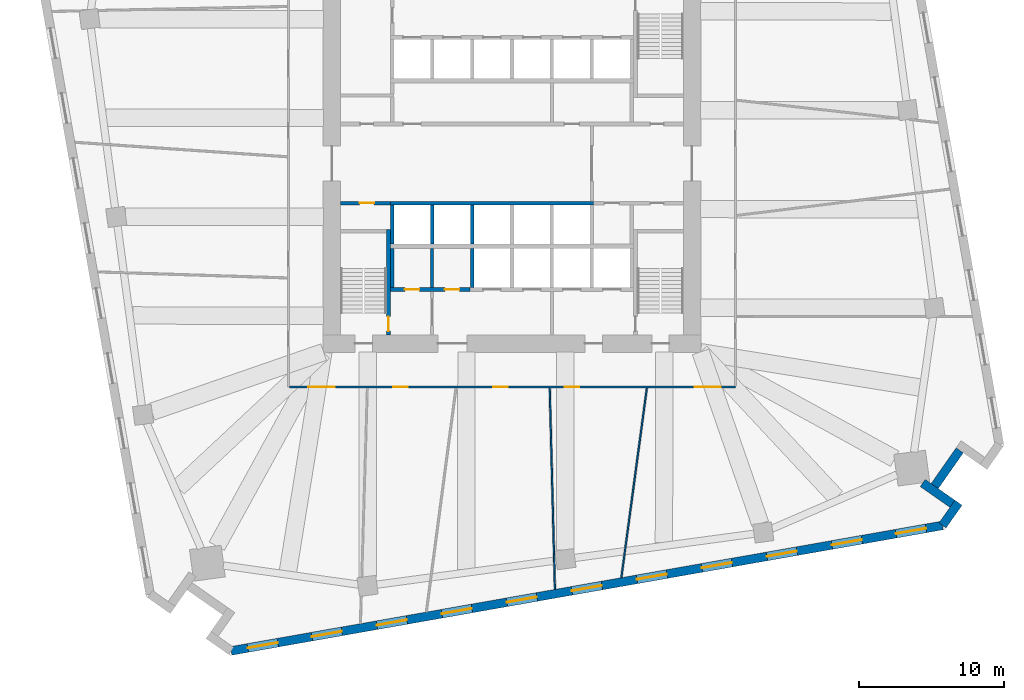
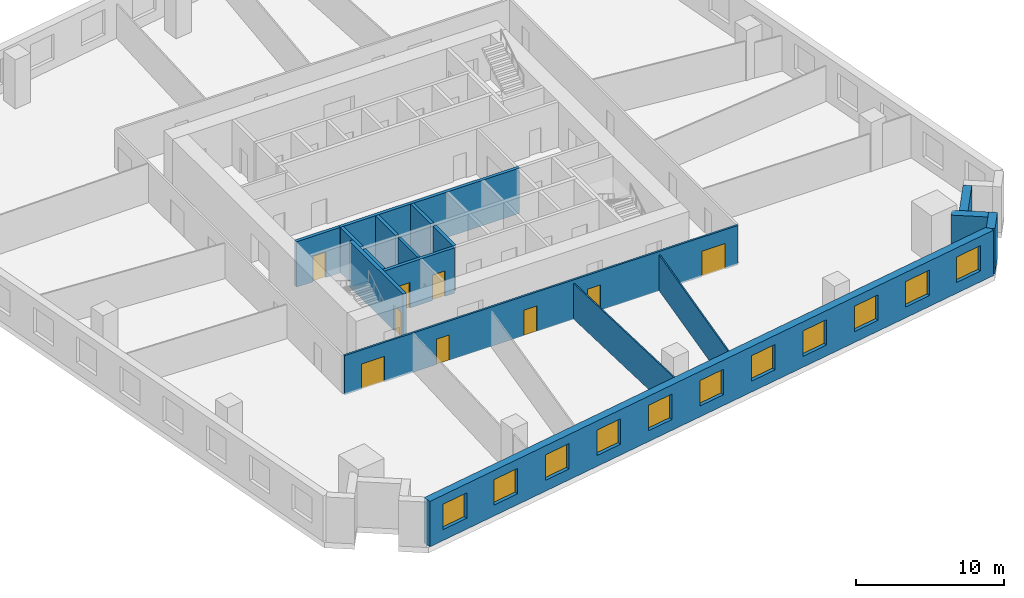
# One storey, part 4 of 10: 17 walls, 11 windows, 9 doors, 20 openings.
"""IFC4 building model written with IfcOpenShell, lengths in metres."""

import ifcopenshell
import ifcopenshell.guid

model = None  # the IFC model being written
_history = None  # IfcOwnerHistory: only IFC2X3 demands one
_inside = {}  # id of a spatial element -> (the spatial element, [elements in it])
_under = {}  # id of a project, library or spatial element -> (it, [spatial elements below it])
_declared = {}  # id of a project -> (the project, [libraries it declares])
_typed = {}  # id of a type object -> (the type object, [elements of that type])
_made_of = {}  # id of a material, layer set ... -> (it, [elements and type objects made of it])


def new_model(schema):
    """Start an empty IFC model of exactly this schema.

    Asked for "IFC4X3", IfcOpenShell would pick the latest addendum, in which some entities
    have other attributes; the version numbers below select the first issue.
    IFC2X3 requires an IfcOwnerHistory on every rooted entity: one is made here for all.
    """
    global model, _history
    if schema == "IFC4X3":
        model = ifcopenshell.file(schema_version=(4, 3, 0, 0))
    else:
        model = ifcopenshell.file(schema=schema)
    _inside.clear()
    _under.clear()
    _declared.clear()
    _typed.clear()
    _made_of.clear()
    _history = None
    if model.schema == "IFC2X3":
        org = make("IfcOrganization", Name="unknown")
        user = make(
            "IfcPersonAndOrganization",
            ThePerson=make("IfcPerson", FamilyName="unknown"),
            TheOrganization=org,
        )
        app = make(
            "IfcApplication",
            ApplicationDeveloper=org,
            Version="unknown",
            ApplicationFullName="unknown",
            ApplicationIdentifier="unknown",
        )
        _history = make(
            "IfcOwnerHistory",
            OwningUser=user,
            OwningApplication=app,
            ChangeAction="ADDED",
            CreationDate=0,
        )
    return model


def make(cls, **values):
    """One entity of the class cls with the attributes given. An attribute that is None is left unset."""
    return model.create_entity(
        cls, **{name: value for name, value in values.items() if value is not None}
    )


def rooted(cls, **values):
    """An entity with a GlobalId (a new one), such as an element, a storey or a relation."""
    return make(cls, GlobalId=ifcopenshell.guid.new(), OwnerHistory=_history, **values)


def si_unit(unit_type, name, prefix=None):
    """IfcSIUnit, for example si_unit("LENGTHUNIT", "METRE", prefix="MILLI")."""
    return make("IfcSIUnit", UnitType=unit_type, Prefix=prefix, Name=name)


def assignment(units):
    """IfcUnitAssignment: the units of a project."""
    return None if units is None else make("IfcUnitAssignment", Units=units)


def point(xyz):
    """IfcCartesianPoint."""
    return None if xyz is None else make("IfcCartesianPoint", Coordinates=xyz)


def direction(xyz):
    """IfcDirection."""
    return None if xyz is None else make("IfcDirection", DirectionRatios=xyz)


def frame(location, z_axis=None, x_axis=None):
    """IfcAxis2Placement3D, a coordinate frame: its origin and axes. An axis left out is left unset."""
    return make(
        "IfcAxis2Placement3D",
        Location=point(location),
        Axis=direction(z_axis),
        RefDirection=direction(x_axis),
    )


def frame_2d(location, x_axis=None):
    """IfcAxis2Placement2D, a coordinate frame in the plane: its origin and x axis."""
    return make(
        "IfcAxis2Placement2D", Location=point(location), RefDirection=direction(x_axis)
    )


def origin():
    """The frame at (0, 0, 0) with its axes left unset."""
    return frame((0.0, 0.0, 0.0))


def place(relative_to, where):
    """IfcLocalPlacement: puts the frame where relative to a parent placement (None: the world)."""
    return make(
        "IfcLocalPlacement", PlacementRelTo=relative_to, RelativePlacement=where
    )


def context(
    kind, dimensions, precision=None, world=None, true_north=None, identifier=None
):
    """IfcGeometricRepresentationContext, for example the 3D "Model" context."""
    return make(
        "IfcGeometricRepresentationContext",
        ContextIdentifier=identifier,
        ContextType=kind,
        CoordinateSpaceDimension=dimensions,
        Precision=precision,
        WorldCoordinateSystem=world,
        TrueNorth=true_north,
    )


def subcontext(parent, identifier, kind, view, scale=None):
    """IfcGeometricRepresentationSubContext, for example "Body" below "Model"."""
    return make(
        "IfcGeometricRepresentationSubContext",
        ContextIdentifier=identifier,
        ContextType=kind,
        ParentContext=parent,
        TargetScale=scale,
        TargetView=view,
    )


def project(units=None, contexts=None):
    """IfcProject with its units and contexts."""
    return rooted(
        "IfcProject",
        Name="project",
        RepresentationContexts=contexts,
        UnitsInContext=assignment(units),
    )


def spatial(cls, under=None, at=None, **own):
    """A site, building, storey or space (cls), placed at a placement, below another one or the project."""
    s = rooted(cls, ObjectPlacement=at, **own)
    if under is not None:
        _under.setdefault(under.id(), (under, []))[1].append(s)
    return s


def profile(cls, at=None, kind="AREA", **sizes):
    """A parametric profile (cls). Its sizes go by their IFC names, for example OverallWidth=200.0."""
    return make(cls, ProfileType=kind, Position=at, **sizes)


def rectangle(**sizes):
    """IfcRectangleProfileDef."""
    return profile("IfcRectangleProfileDef", **sizes)


def extrude(swept, where, along, depth):
    """IfcExtrudedAreaSolid: the profile swept, set in the frame where, extruded along a direction by depth."""
    return make(
        "IfcExtrudedAreaSolid",
        SweptArea=swept,
        Position=where,
        ExtrudedDirection=direction(along),
        Depth=depth,
    )


def shape(context_of_items, identifier, shape_type, items):
    """IfcShapeRepresentation: the items that make up one representation, for example the "Body"."""
    return make(
        "IfcShapeRepresentation",
        ContextOfItems=context_of_items,
        RepresentationIdentifier=identifier,
        RepresentationType=shape_type,
        Items=items,
    )


def material(Name=None, Category=None):
    """IfcMaterial."""
    return make("IfcMaterial", Name=Name, Category=Category)


def layer(
    of_material, thickness, ventilated=None, Name=None, Category=None, Priority=None
):
    """IfcMaterialLayer: one layer of a wall or slab, of a material (None: an air gap)."""
    return make(
        "IfcMaterialLayer",
        Material=of_material,
        LayerThickness=thickness,
        IsVentilated=ventilated,
        Name=Name,
        Category=Category,
        Priority=Priority,
    )


def layer_set(layers, Name=None):
    """IfcMaterialLayerSet."""
    return make("IfcMaterialLayerSet", MaterialLayers=layers, LayerSetName=Name)


def made_of(thing, what):
    """Note that an element or type object is made of a material, layer set ...; save() writes the relation."""
    if what is not None:
        _made_of.setdefault(what.id(), (what, []))[1].append(thing)
    return thing


def type_object(cls, material=None, **own):
    """A type object (cls), such as IfcWallType, which elements share."""
    return made_of(rooted(cls, **own), material)


def element(
    cls,
    number,
    at=None,
    inside=None,
    cuts=None,
    type_object=None,
    material=None,
    context=None,
    identifier="Body",
    shape_type=None,
    held_by="IfcProductDefinitionShape",
    body=None,
    shapes=None,
    **own,
):
    """One element of the class cls, such as IfcWall. Its Tag is "e" and its number.

    at: its placement. inside: the storey or other place that contains it. cuts: it is an
    opening in that element (IfcRelVoidsElement). A single representation is given by context,
    identifier, shape_type and body (its items); several are given by shapes. held_by: the class
    of the entity that holds the representations. save() writes the other relations.
    """
    e = rooted(cls, Tag="e%d" % number, ObjectPlacement=at, **own)
    if body is not None:
        shapes = [shape(context, identifier, shape_type, body)]
    if shapes is not None:
        e.Representation = make(held_by, Representations=shapes)
    if inside is not None:
        _inside.setdefault(inside.id(), (inside, []))[1].append(e)
    if cuts is not None:
        rooted(
            "IfcRelVoidsElement", RelatingBuildingElement=cuts, RelatedOpeningElement=e
        )
    if type_object is not None:
        _typed.setdefault(type_object.id(), (type_object, []))[1].append(e)
    return made_of(e, material)


def fill(opening, filler):
    """IfcRelFillsElement: the door or window that sits in an opening."""
    return rooted(
        "IfcRelFillsElement",
        RelatingOpeningElement=opening,
        RelatedBuildingElement=filler,
    )


def aggregate(whole, parts):
    """IfcRelAggregates: a whole, such as a stair, and the parts it consists of."""
    return rooted("IfcRelAggregates", RelatingObject=whole, RelatedObjects=parts)


def save(model, path):
    """Write the relations noted so far, then the file.

    IfcRelAggregates (storeys below a building ...), IfcRelContainedInSpatialStructure (elements
    in a storey), IfcRelDefinesByType, IfcRelAssociatesMaterial and IfcRelDeclares: one each for
    every whole, place, type object, material and project.
    """
    for whole, parts in _under.values():
        aggregate(whole, parts)
    for where, things in _inside.values():
        rooted(
            "IfcRelContainedInSpatialStructure",
            RelatedElements=things,
            RelatingStructure=where,
        )
    for kind, things in _typed.values():
        rooted("IfcRelDefinesByType", RelatedObjects=things, RelatingType=kind)
    for what, things in _made_of.values():
        rooted("IfcRelAssociatesMaterial", RelatedObjects=things, RelatingMaterial=what)
    for by, libraries in _declared.values():
        rooted("IfcRelDeclares", RelatingContext=by, RelatedDefinitions=libraries)
    model.write(path)


model = new_model("IFC4")

# Units and contexts
model_context = context("Model", 3, precision=1e-05, world=origin(), true_north=direction((0.0, 1.0)))
body_context = subcontext(model_context, "Body", "Model", "MODEL_VIEW")
ifc_project = project(units=[si_unit("LENGTHUNIT", "METRE"), si_unit("AREAUNIT", "SQUARE_METRE"), si_unit("VOLUMEUNIT", "CUBIC_METRE"), si_unit("PLANEANGLEUNIT", "RADIAN"), si_unit("MASSUNIT", "GRAM", prefix="KILO")], contexts=[model_context])

# Site, building, storey
site_placement = place(None, origin())
site = spatial("IfcSite", under=ifc_project, at=site_placement, CompositionType="ELEMENT")
building_placement = place(site_placement, origin())
building = spatial("IfcBuilding", under=site, at=building_placement, Name="Dilmun Exchange Tower", CompositionType="ELEMENT")
storey_placement = place(building_placement, frame((0.0, 0.0, 59.699951171875)))
storey = spatial("IfcBuildingStorey", under=building, at=storey_placement, Name="L13", CompositionType="ELEMENT", Elevation=59.699951171875)

# Wall
ifc_material_1 = material(Name="Concrete C40/50", Category="concrete")
ifc_layer_1 = layer(ifc_material_1, 0.199951171875)
ifc_layer_set_1 = layer_set([ifc_layer_1], Name="Concrete C40/50")
wall_type_1 = type_object("IfcWallType", Name="Core partition wall 200", PredefinedType="PARTITIONING", material=ifc_layer_set_1)
wall_1_placement = place(storey_placement, frame((-5.5, -8.544921875, 0.0), z_axis=(0.0, 0.0, 1.0), x_axis=(0.0, 1.0, 0.0)))
element("IfcWall", 1, at=wall_1_placement, inside=storey, type_object=wall_type_1, Name="L13 core partition wall 05", PredefinedType="PARTITIONING", context=body_context, shape_type="SweptSolid", body=[
    extrude(rectangle(XDim=2.68994140625, YDim=0.199951171875, at=frame_2d((1.344970703125, 0.0))), origin(), (0.0, 0.0, 1.0), 3.75),
])

# Wall, openings, doors
ifc_layer_2 = layer(ifc_material_1, 0.25)
ifc_layer_set_2 = layer_set([ifc_layer_2], Name="Concrete C40/50")
wall_type_2 = type_object("IfcWallType", Name="Core partition wall 250", PredefinedType="PARTITIONING", material=ifc_layer_set_2)
wall_2_placement = place(storey_placement, frame((-8.3701171875, -8.675048828125, 0.0), z_axis=(0.0, 0.0, 1.0), x_axis=(1.0, 0.0, 0.0)))
wall_2 = element("IfcWall", 2, at=wall_2_placement, inside=storey, type_object=wall_type_2, Name="L13 core partition wall 03", PredefinedType="PARTITIONING", context=body_context, shape_type="SweptSolid", body=[
    extrude(rectangle(XDim=5.490234375, YDim=0.25, at=frame_2d((2.7451171875, 0.0))), origin(), (0.0, 0.0, 1.0), 3.75),
])
opening_1_placement = place(wall_2_placement, frame((0.9951171875, 0.0, 0.0)))
opening_1 = element("IfcOpeningElement", 3, at=opening_1_placement, cuts=wall_2, Name="Opening CD4", PredefinedType="OPENING", context=body_context, shape_type="SweptSolid", body=[
    extrude(rectangle(XDim=1.0, YDim=2.10009765625, at=frame_2d((0.5, 1.050048828125))), frame((0.0, 0.135009765625, 0.0), z_axis=(0.0, -1.0, 0.0), x_axis=(1.0, 0.0, 0.0)), (0.0, 0.0, 1.0), 0.27001953125),
])
opening_2_placement = place(wall_2_placement, frame((3.7451171875, 0.0, 0.0)))
opening_2 = element("IfcOpeningElement", 4, at=opening_2_placement, cuts=wall_2, Name="Opening CD4", PredefinedType="OPENING", context=body_context, shape_type="SweptSolid", body=[
    extrude(rectangle(XDim=1.0, YDim=2.10009765625, at=frame_2d((0.5, 1.050048828125))), frame((0.0, 0.135009765625, 0.0), z_axis=(0.0, -1.0, 0.0), x_axis=(1.0, 0.0, 0.0)), (0.0, 0.0, 1.0), 0.27001953125),
])
ifc_material_2 = material(Name="Fire-rated steel door set", Category="steel")
door_type_1 = type_object("IfcDoorType", Name="Core room door 1000x2100", OperationType="SINGLE_SWING_LEFT", PredefinedType="DOOR", material=ifc_material_2)
door_1_placement = place(opening_1_placement, origin())
door_1 = element("IfcDoor", 5, at=door_1_placement, inside=storey, type_object=door_type_1, Name="L13 door Male WC", OperationType="SINGLE_SWING_RIGHT", OverallHeight=2.10009765625, OverallWidth=1.0, PredefinedType="DOOR", context=body_context, shape_type="SweptSolid", body=[
    extrude(rectangle(XDim=1.0, YDim=2.10009765625, at=frame_2d((0.5, 1.050048828125))), frame((0.0, 0.02490234375, 0.0), z_axis=(0.0, -1.0, 0.0), x_axis=(1.0, 0.0, 0.0)), (0.0, 0.0, 1.0), 0.050048828125),
])
fill(opening_1, door_1)
door_2_placement = place(opening_2_placement, origin())
door_2 = element("IfcDoor", 6, at=door_2_placement, inside=storey, type_object=door_type_1, Name="L13 door Female WC", OperationType="SINGLE_SWING_RIGHT", OverallHeight=2.10009765625, OverallWidth=1.0, PredefinedType="DOOR", context=body_context, shape_type="SweptSolid", body=[
    extrude(rectangle(XDim=1.0, YDim=2.10009765625, at=frame_2d((0.5, 1.050048828125))), frame((0.0, 0.02490234375, 0.0), z_axis=(0.0, -1.0, 0.0), x_axis=(1.0, 0.0, 0.0)), (0.0, 0.0, 1.0), 0.050048828125),
])
fill(opening_2, door_2)

# Wall
wall_3_placement = place(storey_placement, frame((-8.25, -8.544921875, 0.0), z_axis=(0.0, 0.0, 1.0), x_axis=(0.0, 1.0, 0.0)))
element("IfcWall", 7, at=wall_3_placement, inside=storey, type_object=wall_type_2, Name="L13 core partition wall 04", PredefinedType="PARTITIONING", context=body_context, shape_type="SweptSolid", body=[
    extrude(rectangle(XDim=2.68994140625, YDim=0.25, at=frame_2d((1.344970703125, 0.0))), origin(), (0.0, 0.0, 1.0), 3.75),
])

# Wall, opening, door
wall_4_placement = place(storey_placement, frame((-11.794921875, -2.72509765625, 0.0), z_axis=(0.0, 0.0, 1.0), x_axis=(1.0, 0.0, 0.0)))
wall_4 = element("IfcWall", 8, at=wall_4_placement, inside=storey, type_object=wall_type_2, Name="L13 core partition wall 07", PredefinedType="PARTITIONING", context=body_context, shape_type="SweptSolid", body=[
    extrude(rectangle(XDim=3.4150390625, YDim=0.25, at=frame_2d((1.70751953125, 0.0))), origin(), (0.0, 0.0, 1.0), 3.75),
])
opening_3_placement = place(wall_4_placement, frame((1.294921875, 0.0, 0.0)))
opening_3 = element("IfcOpeningElement", 9, at=opening_3_placement, cuts=wall_4, Name="Opening CD4", PredefinedType="OPENING", context=body_context, shape_type="SweptSolid", body=[
    extrude(rectangle(XDim=1.0, YDim=2.10009765625, at=frame_2d((0.5, 1.050048828125))), frame((0.0, 0.135009765625, 0.0), z_axis=(0.0, -1.0, 0.0), x_axis=(1.0, 0.0, 0.0)), (0.0, 0.0, 1.0), 0.27001953125),
])
door_3_placement = place(opening_3_placement, origin())
door_3 = element("IfcDoor", 10, at=door_3_placement, inside=storey, type_object=door_type_1, Name="L13 door Accessible WC", OperationType="SINGLE_SWING_RIGHT", OverallHeight=2.10009765625, OverallWidth=1.0, PredefinedType="DOOR", context=body_context, shape_type="SweptSolid", body=[
    extrude(rectangle(XDim=1.0, YDim=2.10009765625, at=frame_2d((0.5, 1.050048828125))), frame((0.0, 0.02490234375, 0.0), z_axis=(0.0, -1.0, 0.0), x_axis=(1.0, 0.0, 0.0)), (0.0, 0.0, 1.0), 0.050048828125),
])
fill(opening_3, door_3)

# Wall, openings, doors
ifc_material_3 = material(Name="Corridor wall 150")
ifc_layer_3 = layer(ifc_material_3, 0.14990234375)
ifc_layer_set_3 = layer_set([ifc_layer_3], Name="Corridor wall 150")
wall_type_3 = type_object("IfcWallType", Name="Corridor wall 150", PredefinedType="PARTITIONING", material=ifc_layer_set_3)
wall_5_placement = place(storey_placement, frame((-15.324951171875, -15.39990234375, 0.0), z_axis=(0.0, 0.0, 1.0), x_axis=(1.0, 0.0, 0.0)))
wall_5 = element("IfcWall", 11, at=wall_5_placement, inside=storey, type_object=wall_type_3, Name="Corridor wall", PredefinedType="PARTITIONING", context=body_context, shape_type="SweptSolid", body=[
    extrude(rectangle(XDim=30.724853515625, YDim=0.14990234375, at=frame_2d((15.3623046875, 0.0))), origin(), (0.0, 0.0, 1.0), 3.25),
])
opening_4_placement = place(wall_5_placement, frame((1.300048828125, 0.0, 0.0)))
opening_4 = element("IfcOpeningElement", 12, at=opening_4_placement, cuts=wall_5, Name="Opening TF13-D06", PredefinedType="OPENING", context=body_context, shape_type="SweptSolid", body=[
    extrude(rectangle(XDim=1.800048828125, YDim=2.10009765625, at=frame_2d((0.89990234375, 1.050048828125))), frame((0.0, 0.0849609375, 0.0), z_axis=(0.0, -1.0, 0.0), x_axis=(1.0, 0.0, 0.0)), (0.0, 0.0, 1.0), 0.169921875),
])
opening_5_placement = place(wall_5_placement, frame((7.161376953125, 0.0, 0.0)))
opening_5 = element("IfcOpeningElement", 13, at=opening_5_placement, cuts=wall_5, Name="Opening TF13-D08", PredefinedType="OPENING", context=body_context, shape_type="SweptSolid", body=[
    extrude(rectangle(XDim=1.0, YDim=2.10009765625, at=frame_2d((0.5, 1.050048828125))), frame((0.0, 0.0849609375, 0.0), z_axis=(0.0, -1.0, 0.0), x_axis=(1.0, 0.0, 0.0)), (0.0, 0.0, 1.0), 0.169921875),
])
opening_6_placement = place(wall_5_placement, frame((14.0205078125, 0.0, 0.0)))
opening_6 = element("IfcOpeningElement", 14, at=opening_6_placement, cuts=wall_5, Name="Opening TF13-D10", PredefinedType="OPENING", context=body_context, shape_type="SweptSolid", body=[
    extrude(rectangle(XDim=1.0, YDim=2.10009765625, at=frame_2d((0.5, 1.050048828125))), frame((0.0, 0.0849609375, 0.0), z_axis=(0.0, -1.0, 0.0), x_axis=(1.0, 0.0, 0.0)), (0.0, 0.0, 1.0), 0.169921875),
])
opening_7_placement = place(wall_5_placement, frame((18.971435546875, 0.0, 0.0)))
opening_7 = element("IfcOpeningElement", 15, at=opening_7_placement, cuts=wall_5, Name="Opening TF13-D12", PredefinedType="OPENING", context=body_context, shape_type="SweptSolid", body=[
    extrude(rectangle(XDim=1.0, YDim=2.10009765625, at=frame_2d((0.5, 1.050048828125))), frame((0.0, 0.0849609375, 0.0), z_axis=(0.0, -1.0, 0.0), x_axis=(1.0, 0.0, 0.0)), (0.0, 0.0, 1.0), 0.169921875),
])
opening_8_placement = place(wall_5_placement, frame((27.91650390625, 0.0, 0.0)))
opening_8 = element("IfcOpeningElement", 16, at=opening_8_placement, cuts=wall_5, Name="Opening TF13-D15", PredefinedType="OPENING", context=body_context, shape_type="SweptSolid", body=[
    extrude(rectangle(XDim=1.800048828125, YDim=2.10009765625, at=frame_2d((0.89990234375, 1.050048828125))), frame((0.0, 0.0849609375, 0.0), z_axis=(0.0, -1.0, 0.0), x_axis=(1.0, 0.0, 0.0)), (0.0, 0.0, 1.0), 0.169921875),
])
ifc_material_4 = material(Name="Fire door 1000 x 2100")
door_type_2 = type_object("IfcDoorType", Name="Fire door 1000 x 2100", OperationType="NOTDEFINED", PredefinedType="DOOR", material=ifc_material_4)
door_4_placement = place(opening_5_placement, frame((1.0, 0.0, 0.0), z_axis=(0.0, 0.0, 1.0), x_axis=(-1.0, 0.0, 0.0)))
door_4 = element("IfcDoor", 17, at=door_4_placement, inside=storey, type_object=door_type_2, Name="Door TF13-D08", OperationType="SINGLE_SWING_LEFT", OverallHeight=2.10009765625, OverallWidth=1.0, PredefinedType="DOOR", context=body_context, shape_type="SweptSolid", body=[
    extrude(rectangle(XDim=1.0, YDim=2.10009765625, at=frame_2d((0.5, 1.050048828125))), frame((0.0, 0.02490234375, 0.0), z_axis=(0.0, -1.0, 0.0), x_axis=(1.0, 0.0, 0.0)), (0.0, 0.0, 1.0), 0.050048828125),
])
fill(opening_5, door_4)
door_5_placement = place(opening_6_placement, frame((1.0, 0.0, 0.0), z_axis=(0.0, 0.0, 1.0), x_axis=(-1.0, 0.0, 0.0)))
door_5 = element("IfcDoor", 18, at=door_5_placement, inside=storey, type_object=door_type_2, Name="Door TF13-D10", OperationType="SINGLE_SWING_RIGHT", OverallHeight=2.10009765625, OverallWidth=1.0, PredefinedType="DOOR", context=body_context, shape_type="SweptSolid", body=[
    extrude(rectangle(XDim=1.0, YDim=2.10009765625, at=frame_2d((0.5, 1.050048828125))), frame((0.0, 0.02490234375, 0.0), z_axis=(0.0, -1.0, 0.0), x_axis=(1.0, 0.0, 0.0)), (0.0, 0.0, 1.0), 0.050048828125),
])
fill(opening_6, door_5)
door_6_placement = place(opening_7_placement, frame((1.0, 0.0, 0.0), z_axis=(0.0, 0.0, 1.0), x_axis=(-1.0, 0.0, 0.0)))
door_6 = element("IfcDoor", 19, at=door_6_placement, inside=storey, type_object=door_type_2, Name="Door TF13-D12", OperationType="SINGLE_SWING_RIGHT", OverallHeight=2.10009765625, OverallWidth=1.0, PredefinedType="DOOR", context=body_context, shape_type="SweptSolid", body=[
    extrude(rectangle(XDim=1.0, YDim=2.10009765625, at=frame_2d((0.5, 1.050048828125))), frame((0.0, 0.02490234375, 0.0), z_axis=(0.0, -1.0, 0.0), x_axis=(1.0, 0.0, 0.0)), (0.0, 0.0, 1.0), 0.050048828125),
])
fill(opening_7, door_6)
ifc_material_5 = material(Name="Fire door pair 1800 x 2100")
door_type_3 = type_object("IfcDoorType", Name="Fire door pair 1800 x 2100", OperationType="NOTDEFINED", PredefinedType="DOOR", material=ifc_material_5)
door_7_placement = place(opening_4_placement, frame((1.800048828125, 0.0, 0.0), z_axis=(0.0, 0.0, 1.0), x_axis=(-1.0, 0.0, 0.0)))
door_7 = element("IfcDoor", 20, at=door_7_placement, inside=storey, type_object=door_type_3, Name="Door TF13-D06", OperationType="DOUBLE_DOOR_SINGLE_SWING", OverallHeight=2.10009765625, OverallWidth=1.800048828125, PredefinedType="DOOR", context=body_context, shape_type="SweptSolid", body=[
    extrude(rectangle(XDim=1.800048828125, YDim=2.10009765625, at=frame_2d((0.89990234375, 1.050048828125))), frame((0.0, 0.02490234375, 0.0), z_axis=(0.0, -1.0, 0.0), x_axis=(1.0, 0.0, 0.0)), (0.0, 0.0, 1.0), 0.050048828125),
])
fill(opening_4, door_7)
door_8_placement = place(opening_8_placement, frame((1.800048828125, 0.0, 0.0), z_axis=(0.0, 0.0, 1.0), x_axis=(-1.0, 0.0, 0.0)))
door_8 = element("IfcDoor", 21, at=door_8_placement, inside=storey, type_object=door_type_3, Name="Door TF13-D15", OperationType="DOUBLE_DOOR_SINGLE_SWING", OverallHeight=2.10009765625, OverallWidth=1.800048828125, PredefinedType="DOOR", context=body_context, shape_type="SweptSolid", body=[
    extrude(rectangle(XDim=1.800048828125, YDim=2.10009765625, at=frame_2d((0.89990234375, 1.050048828125))), frame((0.0, 0.02490234375, 0.0), z_axis=(0.0, -1.0, 0.0), x_axis=(1.0, 0.0, 0.0)), (0.0, 0.0, 1.0), 0.050048828125),
])
fill(opening_8, door_8)

# Walls
ifc_layer_4 = layer(ifc_material_1, 0.25)
ifc_layer_set_4 = layer_set([ifc_layer_4], Name="Concrete C40/50")
wall_type_4 = type_object("IfcWallType", Name="Lift shaft wall 250", PredefinedType="SOLIDWALL", material=ifc_layer_set_4)
wall_6_placement = place(storey_placement, frame((-8.375, -2.72509765625, 0.0), z_axis=(0.0, 0.0, 1.0), x_axis=(1.0, 0.0, 0.0)))
element("IfcWall", 22, at=wall_6_placement, inside=storey, type_object=wall_type_4, Name="L13 lift shaft front wall S1", PredefinedType="SOLIDWALL", context=body_context, shape_type="SweptSolid", body=[
    extrude(rectangle(XDim=14.0, YDim=0.25, at=frame_2d((7.0, 0.0))), origin(), (0.0, 0.0, 1.0), 3.75),
])
for number, where, z_axis, x_axis, name in (
    (23, (-8.25, -5.550048828125, 0.0), (0.0, 0.0, 1.0), (0.0, 1.0, 0.0), "L13 lift shaft divider S10"),
    (24, (-5.5, -5.550048828125, 0.0), (0.0, 0.0, 1.0), (0.0, 1.0, 0.0), "L13 lift shaft divider S11"),
    (25, (-2.75, -5.550048828125, 0.0), (0.0, 0.0, 1.0), (0.0, 1.0, 0.0), "L13 lift shaft divider S12"),
    (26, (-2.75, -8.550048828125, 0.0), (0.0, 0.0, 1.0), (0.0, 1.0, 0.0), "L13 lift shaft divider S22"),
):
    element("IfcWall", number, at=place(storey_placement, frame(where, z_axis=z_axis, x_axis=x_axis)), inside=storey, type_object=wall_type_4, Name=name, PredefinedType="SOLIDWALL", context=body_context, shape_type="SweptSolid", body=[
        extrude(rectangle(XDim=2.699951171875, YDim=0.25, at=frame_2d((1.35009765625, 0.0))), origin(), (0.0, 0.0, 1.0), 3.75),
    ])
ifc_material_6 = material(Name="Partition 100")
ifc_layer_5 = layer(ifc_material_6, 0.10009765625)
ifc_layer_set_5 = layer_set([ifc_layer_5], Name="Partition 100")
wall_type_5 = type_object("IfcWallType", Name="Partition 100", PredefinedType="PARTITIONING", material=ifc_layer_set_5)
wall_7_placement = place(storey_placement, frame((2.597900390625, -15.476318359375, 0.0), z_axis=(0.0, 0.0, 1.0), x_axis=(0.025790593623, -0.999667367318, 0.0)))
element("IfcWall", 27, at=wall_7_placement, inside=storey, type_object=wall_type_5, Name="Partition", PredefinedType="PARTITIONING", context=body_context, shape_type="SweptSolid", body=[
    extrude(rectangle(XDim=13.858642578125, YDim=0.10009765625, at=frame_2d((6.92919921875, 0.0))), origin(), (0.0, 0.0, 1.0), 2.949951171875),
])
wall_8_placement = place(storey_placement, frame((7.53125, -28.523681640625, 0.0), z_axis=(0.0, 0.0, 1.0), x_axis=(0.133336319453, 0.99107084808, 0.0)))
element("IfcWall", 28, at=wall_8_placement, inside=storey, type_object=wall_type_5, Name="Partition", PredefinedType="PARTITIONING", context=body_context, shape_type="SweptSolid", body=[
    extrude(rectangle(XDim=13.159423828125, YDim=0.10009765625, at=frame_2d((6.57958984375, 0.0))), origin(), (0.0, 0.0, 1.0), 2.949951171875),
])

# Wall, openings, windows
ifc_material_7 = material(Name="Precast concrete C50/60", Category="concrete")
ifc_layer_6 = layer(ifc_material_7, 0.60009765625)
ifc_layer_set_6 = layer_set([ifc_layer_6], Name="Precast concrete C50/60")
wall_type_6 = type_object("IfcWallType", Name="Precast stone-clad wall 600", PredefinedType="STANDARD", material=ifc_layer_set_6)
wall_9_placement = place(storey_placement, frame((-19.340576171875, -33.568359375, 0.0), z_axis=(0.0, 0.0, 1.0), x_axis=(0.984808200104, 0.173645642064, 0.0)))
wall_9 = element("IfcWall", 29, at=wall_9_placement, inside=storey, type_object=wall_type_6, Name="Facade wall L13-15", PredefinedType="STANDARD", context=body_context, shape_type="SweptSolid", body=[
    extrude(rectangle(XDim=49.751708984375, YDim=0.60009765625, at=frame_2d((24.8759765625, 0.0))), origin(), (0.0, 0.0, 1.0), 3.75),
])
opening_9_placement = place(wall_9_placement, frame((1.16064453125, 0.0, 0.89990234375)))
opening_9 = element("IfcOpeningElement", 30, at=opening_9_placement, cuts=wall_9, Name="Opening W210-210", PredefinedType="OPENING", context=body_context, shape_type="SweptSolid", body=[
    extrude(rectangle(XDim=2.10009765625, YDim=2.10009765625, at=frame_2d((1.050048828125, 1.050048828125))), frame((0.0, 0.31005859375, 0.0), z_axis=(0.0, -1.0, 0.0), x_axis=(1.0, 0.0, 0.0)), (0.0, 0.0, 1.0), 0.6201171875),
])
opening_10_placement = place(wall_9_placement, frame((5.643798828125, 0.0, 0.89990234375)))
opening_10 = element("IfcOpeningElement", 31, at=opening_10_placement, cuts=wall_9, Name="Opening W210-210", PredefinedType="OPENING", context=body_context, shape_type="SweptSolid", body=[
    extrude(rectangle(XDim=2.10009765625, YDim=2.10009765625, at=frame_2d((1.050048828125, 1.050048828125))), frame((0.0, 0.31005859375, 0.0), z_axis=(0.0, -1.0, 0.0), x_axis=(1.0, 0.0, 0.0)), (0.0, 0.0, 1.0), 0.6201171875),
])
opening_11_placement = place(wall_9_placement, frame((10.189453125, 0.0, 0.89990234375)))
opening_11 = element("IfcOpeningElement", 32, at=opening_11_placement, cuts=wall_9, Name="Opening W210-210", PredefinedType="OPENING", context=body_context, shape_type="SweptSolid", body=[
    extrude(rectangle(XDim=2.10009765625, YDim=2.10009765625, at=frame_2d((1.050048828125, 1.050048828125))), frame((0.0, 0.31005859375, 0.0), z_axis=(0.0, -1.0, 0.0), x_axis=(1.0, 0.0, 0.0)), (0.0, 0.0, 1.0), 0.6201171875),
])
opening_12_placement = place(wall_9_placement, frame((14.73486328125, 0.0, 0.89990234375)))
opening_12 = element("IfcOpeningElement", 33, at=opening_12_placement, cuts=wall_9, Name="Opening W210-210", PredefinedType="OPENING", context=body_context, shape_type="SweptSolid", body=[
    extrude(rectangle(XDim=2.10009765625, YDim=2.10009765625, at=frame_2d((1.050048828125, 1.050048828125))), frame((0.0, 0.31005859375, 0.0), z_axis=(0.0, -1.0, 0.0), x_axis=(1.0, 0.0, 0.0)), (0.0, 0.0, 1.0), 0.6201171875),
])
opening_13_placement = place(wall_9_placement, frame((19.2802734375, 0.0, 0.89990234375)))
opening_13 = element("IfcOpeningElement", 34, at=opening_13_placement, cuts=wall_9, Name="Opening W210-210", PredefinedType="OPENING", context=body_context, shape_type="SweptSolid", body=[
    extrude(rectangle(XDim=2.10009765625, YDim=2.10009765625, at=frame_2d((1.050048828125, 1.050048828125))), frame((0.0, 0.31005859375, 0.0), z_axis=(0.0, -1.0, 0.0), x_axis=(1.0, 0.0, 0.0)), (0.0, 0.0, 1.0), 0.6201171875),
])
opening_14_placement = place(wall_9_placement, frame((23.82568359375, 0.0, 0.89990234375)))
opening_14 = element("IfcOpeningElement", 35, at=opening_14_placement, cuts=wall_9, Name="Opening W210-210", PredefinedType="OPENING", context=body_context, shape_type="SweptSolid", body=[
    extrude(rectangle(XDim=2.10009765625, YDim=2.10009765625, at=frame_2d((1.050048828125, 1.050048828125))), frame((0.0, 0.31005859375, 0.0), z_axis=(0.0, -1.0, 0.0), x_axis=(1.0, 0.0, 0.0)), (0.0, 0.0, 1.0), 0.6201171875),
])
opening_15_placement = place(wall_9_placement, frame((28.37109375, 0.0, 0.89990234375)))
opening_15 = element("IfcOpeningElement", 36, at=opening_15_placement, cuts=wall_9, Name="Opening W210-210", PredefinedType="OPENING", context=body_context, shape_type="SweptSolid", body=[
    extrude(rectangle(XDim=2.10009765625, YDim=2.10009765625, at=frame_2d((1.050048828125, 1.050048828125))), frame((0.0, 0.31005859375, 0.0), z_axis=(0.0, -1.0, 0.0), x_axis=(1.0, 0.0, 0.0)), (0.0, 0.0, 1.0), 0.6201171875),
])
opening_16_placement = place(wall_9_placement, frame((32.91650390625, 0.0, 0.89990234375)))
opening_16 = element("IfcOpeningElement", 37, at=opening_16_placement, cuts=wall_9, Name="Opening W210-210", PredefinedType="OPENING", context=body_context, shape_type="SweptSolid", body=[
    extrude(rectangle(XDim=2.10009765625, YDim=2.10009765625, at=frame_2d((1.050048828125, 1.050048828125))), frame((0.0, 0.31005859375, 0.0), z_axis=(0.0, -1.0, 0.0), x_axis=(1.0, 0.0, 0.0)), (0.0, 0.0, 1.0), 0.6201171875),
])
opening_17_placement = place(wall_9_placement, frame((37.462158203125, 0.0, 0.89990234375)))
opening_17 = element("IfcOpeningElement", 38, at=opening_17_placement, cuts=wall_9, Name="Opening W210-210", PredefinedType="OPENING", context=body_context, shape_type="SweptSolid", body=[
    extrude(rectangle(XDim=2.10009765625, YDim=2.10009765625, at=frame_2d((1.050048828125, 1.050048828125))), frame((0.0, 0.31005859375, 0.0), z_axis=(0.0, -1.0, 0.0), x_axis=(1.0, 0.0, 0.0)), (0.0, 0.0, 1.0), 0.6201171875),
])
opening_18_placement = place(wall_9_placement, frame((42.007568359375, 0.0, 0.89990234375)))
opening_18 = element("IfcOpeningElement", 39, at=opening_18_placement, cuts=wall_9, Name="Opening W210-210", PredefinedType="OPENING", context=body_context, shape_type="SweptSolid", body=[
    extrude(rectangle(XDim=2.10009765625, YDim=2.10009765625, at=frame_2d((1.050048828125, 1.050048828125))), frame((0.0, 0.31005859375, 0.0), z_axis=(0.0, -1.0, 0.0), x_axis=(1.0, 0.0, 0.0)), (0.0, 0.0, 1.0), 0.6201171875),
])
opening_19_placement = place(wall_9_placement, frame((46.490966796875, 0.0, 0.89990234375)))
opening_19 = element("IfcOpeningElement", 40, at=opening_19_placement, cuts=wall_9, Name="Opening W210-210", PredefinedType="OPENING", context=body_context, shape_type="SweptSolid", body=[
    extrude(rectangle(XDim=2.10009765625, YDim=2.10009765625, at=frame_2d((1.050048828125, 1.050048828125))), frame((0.0, 0.31005859375, 0.0), z_axis=(0.0, -1.0, 0.0), x_axis=(1.0, 0.0, 0.0)), (0.0, 0.0, 1.0), 0.6201171875),
])
ifc_material_8 = material(Name="Clear low-emissivity glass in aluminium frame", Category="aluminium")
window_type = type_object("IfcWindowType", Name="Punched window 2100 x 2100", PartitioningType="DOUBLE_PANEL_VERTICAL", PredefinedType="WINDOW", material=ifc_material_8)
window_1_placement = place(opening_9_placement, origin())
window_1 = element("IfcWindow", 41, at=window_1_placement, inside=storey, type_object=window_type, Name="Window 16.1", OverallHeight=2.10009765625, OverallWidth=2.10009765625, PartitioningType="SINGLE_PANEL", PredefinedType="WINDOW", context=body_context, shape_type="SweptSolid", body=[
    extrude(rectangle(XDim=2.10009765625, YDim=2.10009765625, at=frame_2d((1.050048828125, 1.050048828125))), frame((0.0, 0.030029296875, 0.0), z_axis=(0.0, -1.0, 0.0), x_axis=(1.0, 0.0, 0.0)), (0.0, 0.0, 1.0), 0.06005859375),
])
fill(opening_9, window_1)
window_2_placement = place(opening_10_placement, origin())
window_2 = element("IfcWindow", 42, at=window_2_placement, inside=storey, type_object=window_type, Name="Window 16.2", OverallHeight=2.10009765625, OverallWidth=2.10009765625, PartitioningType="SINGLE_PANEL", PredefinedType="WINDOW", context=body_context, shape_type="SweptSolid", body=[
    extrude(rectangle(XDim=2.10009765625, YDim=2.10009765625, at=frame_2d((1.050048828125, 1.050048828125))), frame((0.0, 0.030029296875, 0.0), z_axis=(0.0, -1.0, 0.0), x_axis=(1.0, 0.0, 0.0)), (0.0, 0.0, 1.0), 0.06005859375),
])
fill(opening_10, window_2)
window_3_placement = place(opening_11_placement, origin())
window_3 = element("IfcWindow", 43, at=window_3_placement, inside=storey, type_object=window_type, Name="Window 16.3", OverallHeight=2.10009765625, OverallWidth=2.10009765625, PartitioningType="SINGLE_PANEL", PredefinedType="WINDOW", context=body_context, shape_type="SweptSolid", body=[
    extrude(rectangle(XDim=2.10009765625, YDim=2.10009765625, at=frame_2d((1.050048828125, 1.050048828125))), frame((0.0, 0.030029296875, 0.0), z_axis=(0.0, -1.0, 0.0), x_axis=(1.0, 0.0, 0.0)), (0.0, 0.0, 1.0), 0.06005859375),
])
fill(opening_11, window_3)
window_4_placement = place(opening_12_placement, origin())
window_4 = element("IfcWindow", 44, at=window_4_placement, inside=storey, type_object=window_type, Name="Window 16.4", OverallHeight=2.10009765625, OverallWidth=2.10009765625, PartitioningType="SINGLE_PANEL", PredefinedType="WINDOW", context=body_context, shape_type="SweptSolid", body=[
    extrude(rectangle(XDim=2.10009765625, YDim=2.10009765625, at=frame_2d((1.050048828125, 1.050048828125))), frame((0.0, 0.030029296875, 0.0), z_axis=(0.0, -1.0, 0.0), x_axis=(1.0, 0.0, 0.0)), (0.0, 0.0, 1.0), 0.06005859375),
])
fill(opening_12, window_4)
window_5_placement = place(opening_13_placement, origin())
window_5 = element("IfcWindow", 45, at=window_5_placement, inside=storey, type_object=window_type, Name="Window 16.5", OverallHeight=2.10009765625, OverallWidth=2.10009765625, PartitioningType="SINGLE_PANEL", PredefinedType="WINDOW", context=body_context, shape_type="SweptSolid", body=[
    extrude(rectangle(XDim=2.10009765625, YDim=2.10009765625, at=frame_2d((1.050048828125, 1.050048828125))), frame((0.0, 0.030029296875, 0.0), z_axis=(0.0, -1.0, 0.0), x_axis=(1.0, 0.0, 0.0)), (0.0, 0.0, 1.0), 0.06005859375),
])
fill(opening_13, window_5)
window_6_placement = place(opening_14_placement, origin())
window_6 = element("IfcWindow", 46, at=window_6_placement, inside=storey, type_object=window_type, Name="Window 16.6", OverallHeight=2.10009765625, OverallWidth=2.10009765625, PartitioningType="SINGLE_PANEL", PredefinedType="WINDOW", context=body_context, shape_type="SweptSolid", body=[
    extrude(rectangle(XDim=2.10009765625, YDim=2.10009765625, at=frame_2d((1.050048828125, 1.050048828125))), frame((0.0, 0.030029296875, 0.0), z_axis=(0.0, -1.0, 0.0), x_axis=(1.0, 0.0, 0.0)), (0.0, 0.0, 1.0), 0.06005859375),
])
fill(opening_14, window_6)
window_7_placement = place(opening_15_placement, origin())
window_7 = element("IfcWindow", 47, at=window_7_placement, inside=storey, type_object=window_type, Name="Window 16.7", OverallHeight=2.10009765625, OverallWidth=2.10009765625, PartitioningType="SINGLE_PANEL", PredefinedType="WINDOW", context=body_context, shape_type="SweptSolid", body=[
    extrude(rectangle(XDim=2.10009765625, YDim=2.10009765625, at=frame_2d((1.050048828125, 1.050048828125))), frame((0.0, 0.030029296875, 0.0), z_axis=(0.0, -1.0, 0.0), x_axis=(1.0, 0.0, 0.0)), (0.0, 0.0, 1.0), 0.06005859375),
])
fill(opening_15, window_7)
window_8_placement = place(opening_16_placement, origin())
window_8 = element("IfcWindow", 48, at=window_8_placement, inside=storey, type_object=window_type, Name="Window 16.8", OverallHeight=2.10009765625, OverallWidth=2.10009765625, PartitioningType="SINGLE_PANEL", PredefinedType="WINDOW", context=body_context, shape_type="SweptSolid", body=[
    extrude(rectangle(XDim=2.10009765625, YDim=2.10009765625, at=frame_2d((1.050048828125, 1.050048828125))), frame((0.0, 0.030029296875, 0.0), z_axis=(0.0, -1.0, 0.0), x_axis=(1.0, 0.0, 0.0)), (0.0, 0.0, 1.0), 0.06005859375),
])
fill(opening_16, window_8)
window_9_placement = place(opening_17_placement, origin())
window_9 = element("IfcWindow", 49, at=window_9_placement, inside=storey, type_object=window_type, Name="Window 16.9", OverallHeight=2.10009765625, OverallWidth=2.10009765625, PartitioningType="SINGLE_PANEL", PredefinedType="WINDOW", context=body_context, shape_type="SweptSolid", body=[
    extrude(rectangle(XDim=2.10009765625, YDim=2.10009765625, at=frame_2d((1.050048828125, 1.050048828125))), frame((0.0, 0.030029296875, 0.0), z_axis=(0.0, -1.0, 0.0), x_axis=(1.0, 0.0, 0.0)), (0.0, 0.0, 1.0), 0.06005859375),
])
fill(opening_17, window_9)
window_10_placement = place(opening_18_placement, origin())
window_10 = element("IfcWindow", 50, at=window_10_placement, inside=storey, type_object=window_type, Name="Window 16.10", OverallHeight=2.10009765625, OverallWidth=2.10009765625, PartitioningType="SINGLE_PANEL", PredefinedType="WINDOW", context=body_context, shape_type="SweptSolid", body=[
    extrude(rectangle(XDim=2.10009765625, YDim=2.10009765625, at=frame_2d((1.050048828125, 1.050048828125))), frame((0.0, 0.030029296875, 0.0), z_axis=(0.0, -1.0, 0.0), x_axis=(1.0, 0.0, 0.0)), (0.0, 0.0, 1.0), 0.06005859375),
])
fill(opening_18, window_10)
window_11_placement = place(opening_19_placement, origin())
window_11 = element("IfcWindow", 51, at=window_11_placement, inside=storey, type_object=window_type, Name="Window 16.11", OverallHeight=2.10009765625, OverallWidth=2.10009765625, PartitioningType="SINGLE_PANEL", PredefinedType="WINDOW", context=body_context, shape_type="SweptSolid", body=[
    extrude(rectangle(XDim=2.10009765625, YDim=2.10009765625, at=frame_2d((1.050048828125, 1.050048828125))), frame((0.0, 0.030029296875, 0.0), z_axis=(0.0, -1.0, 0.0), x_axis=(1.0, 0.0, 0.0)), (0.0, 0.0, 1.0), 0.06005859375),
])
fill(opening_19, window_11)

# Walls
wall_10_placement = place(storey_placement, frame((29.6552734375, -24.92919921875, 0.0), z_axis=(0.0, 0.0, 1.0), x_axis=(0.573539498447, 0.819177907247, 0.0)))
element("IfcWall", 52, at=wall_10_placement, inside=storey, type_object=wall_type_6, Name="Facade wall L13-16", PredefinedType="STANDARD", context=body_context, shape_type="SweptSolid", body=[
    extrude(rectangle(XDim=1.911376953125, YDim=0.60009765625, at=frame_2d((0.95556640625, 0.0))), origin(), (0.0, 0.0, 1.0), 3.75),
])
wall_11_placement = place(storey_placement, frame((30.33349609375, -23.437255859375, 0.0), z_axis=(0.0, 0.0, 1.0), x_axis=(-0.819144688946, 0.573586940727, 0.0)))
element("IfcWall", 53, at=wall_11_placement, inside=storey, type_object=wall_type_6, Name="Facade wall L13-17", PredefinedType="STANDARD", context=body_context, shape_type="SweptSolid", body=[
    extrude(rectangle(XDim=2.49853515625, YDim=0.60009765625, at=frame_2d((1.249267578125, 0.0))), origin(), (0.0, 0.0, 1.0), 3.75),
])
wall_12_placement = place(storey_placement, frame((29.113037109375, -22.21630859375, 0.0), z_axis=(0.0, 0.0, 1.0), x_axis=(0.573615254604, 0.819124862085, 0.0)))
element("IfcWall", 54, at=wall_12_placement, inside=storey, type_object=wall_type_6, Name="Facade wall L13-18", PredefinedType="STANDARD", context=body_context, shape_type="SweptSolid", body=[
    extrude(rectangle(XDim=3.000244140625, YDim=0.60009765625, at=frame_2d((1.5, 0.0))), origin(), (0.0, 0.0, 1.0), 3.75),
])

# Wall, opening, door
ifc_layer_7 = layer(ifc_material_1, 0.27490234375)
ifc_layer_set_7 = layer_set([ifc_layer_7], Name="Concrete C40/50")
wall_type_7 = type_object("IfcWallType", Name="Stair wall 275", PredefinedType="SOLIDWALL", material=ifc_layer_set_7)
wall_13_placement = place(storey_placement, frame((-8.512451171875, -4.550048828125, 0.0), z_axis=(0.0, 0.0, 1.0), x_axis=(0.0, -1.0, 0.0)))
wall_13 = element("IfcWall", 55, at=wall_13_placement, inside=storey, type_object=wall_type_7, Name="L13 ST2 wall to lift block", PredefinedType="SOLIDWALL", context=body_context, shape_type="SweptSolid", body=[
    extrude(rectangle(XDim=7.25, YDim=0.27490234375, at=frame_2d((3.625, 0.0))), origin(), (0.0, 0.0, 1.0), 3.75),
])
opening_20_placement = place(wall_13_placement, frame((6.0, 0.0, 0.0)))
opening_20 = element("IfcOpeningElement", 56, at=opening_20_placement, cuts=wall_13, Name="Opening CD4", PredefinedType="OPENING", context=body_context, shape_type="SweptSolid", body=[
    extrude(rectangle(XDim=1.0, YDim=2.10009765625, at=frame_2d((0.5, 1.050048828125))), frame((0.0, 0.1474609375, 0.0), z_axis=(0.0, -1.0, 0.0), x_axis=(1.0, 0.0, 0.0)), (0.0, 0.0, 1.0), 0.294921875),
])
door_9_placement = place(opening_20_placement, origin())
door_9 = element("IfcDoor", 57, at=door_9_placement, inside=storey, type_object=door_type_1, Name="L13 door ST2 from lobby", OperationType="SINGLE_SWING_LEFT", OverallHeight=2.10009765625, OverallWidth=1.0, PredefinedType="DOOR", context=body_context, shape_type="SweptSolid", body=[
    extrude(rectangle(XDim=1.0, YDim=2.10009765625, at=frame_2d((0.5, 1.050048828125))), frame((0.0, 0.02490234375, 0.0), z_axis=(0.0, -1.0, 0.0), x_axis=(1.0, 0.0, 0.0)), (0.0, 0.0, 1.0), 0.050048828125),
])
fill(opening_20, door_9)

save(model, "model.ifc")
